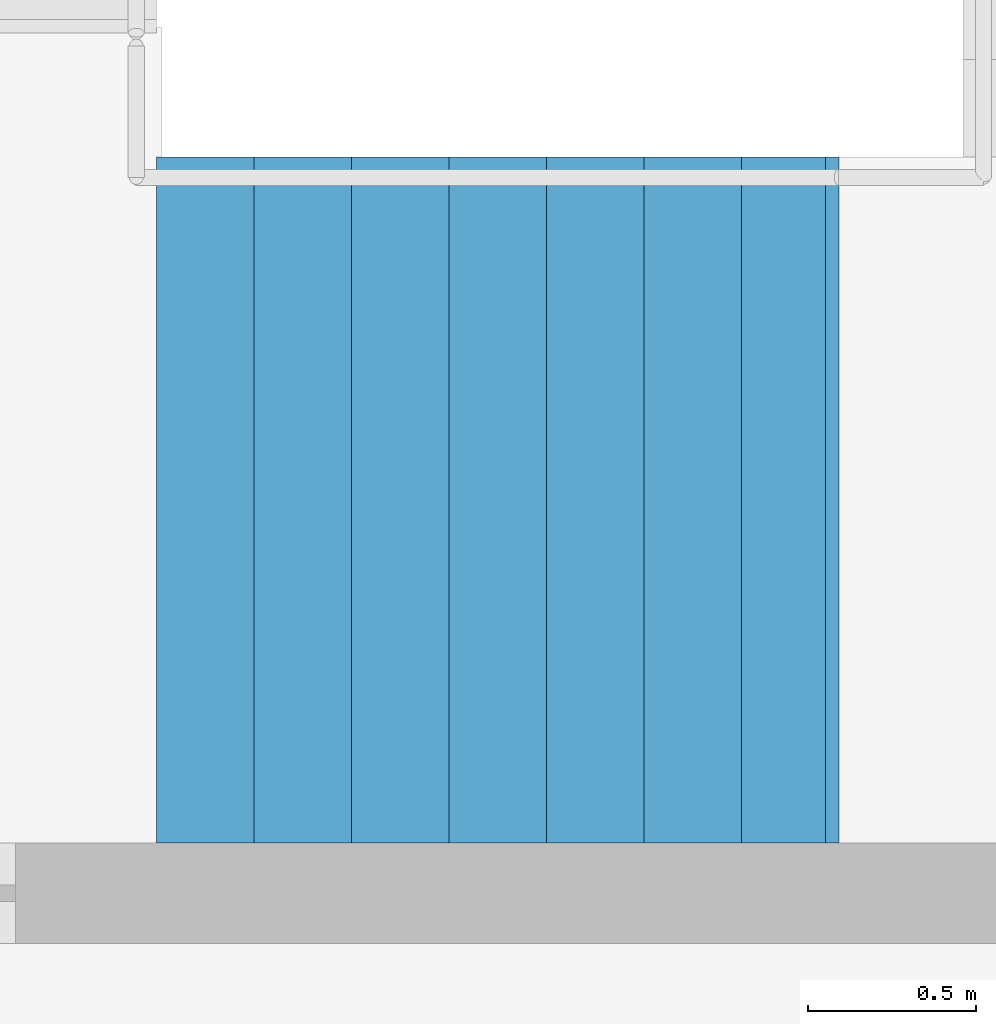
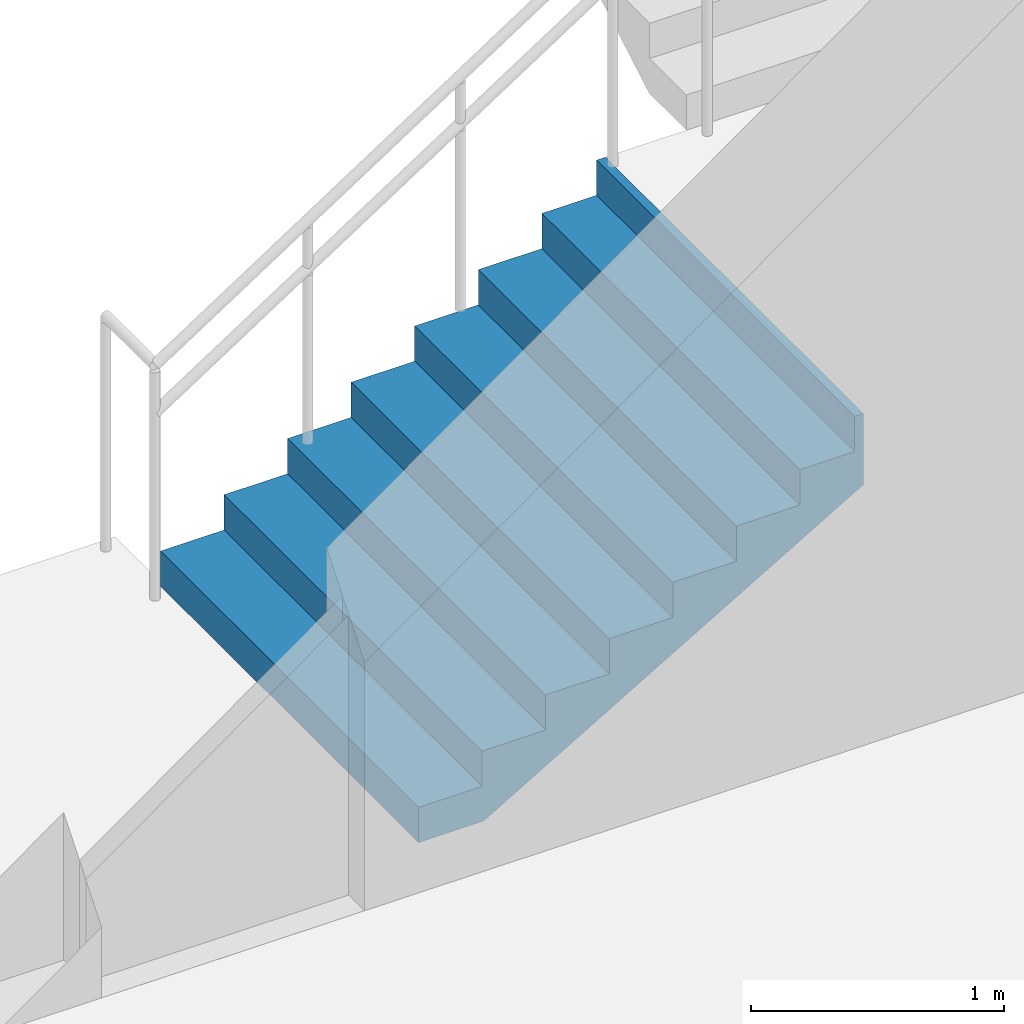
# One storey, part 59 of 74: 1 stair flight, 1 element without a shape of its own.
"""IFC4 building model written with IfcOpenShell, lengths in metres."""

from ifc_helpers import new_model, si_unit, direction, frame, origin, place, context, subcontext, project, spatial, triangles, material, type_object, element, aggregate, save


model = new_model("IFC4")

# Units and contexts
model_context = context("Model", 3, precision=1e-05, world=origin(), true_north=direction((0.0, 1.0)))
body_context = subcontext(model_context, "Body", "Model", "MODEL_VIEW")
ifc_project = project(units=[si_unit("LENGTHUNIT", "METRE"), si_unit("AREAUNIT", "SQUARE_METRE"), si_unit("VOLUMEUNIT", "CUBIC_METRE"), si_unit("PLANEANGLEUNIT", "RADIAN"), si_unit("MASSUNIT", "GRAM", prefix="KILO")], contexts=[model_context])

# Site, building, storey
site_placement = place(None, origin())
site = spatial("IfcSite", under=ifc_project, at=site_placement, CompositionType="ELEMENT")
building_placement = place(site_placement, origin())
building = spatial("IfcBuilding", under=site, at=building_placement, Name="Sillaruma Civic Art Gallery", CompositionType="ELEMENT")
storey_placement = place(building_placement, frame((0.0, 0.0, 5.43994140625)))
storey = spatial("IfcBuildingStorey", under=building, at=storey_placement, Name="L01", CompositionType="ELEMENT", Elevation=5.43994140625)

# Stair, stair flight
ifc_material = material(Name="Concrete H35 (35 MPa)", Category="concrete")
stair_type = type_object("IfcStairType", Name="STR-4F-32", PredefinedType="USERDEFINED", material=ifc_material)
stair_placement = place(storey_placement, origin())
stair = element("IfcStair", 1, at=stair_placement, inside=storey, type_object=stair_type, Name="Protected Exit Stair ST-01 (West Wing) (L01)", ObjectType="THREE_RETURN_STAIR", PredefinedType="USERDEFINED")
stair_flight_type = type_object("IfcStairFlightType", Name="SFL-STR-8", PredefinedType="STRAIGHT", material=ifc_material)
stair_flight_placement = place(storey_placement, frame((27.60009765625, 101.719970703125, 0.0), z_axis=(0.0, 0.0, 1.0), x_axis=(1.0, 0.0, 0.0)))
stair_flight = element("IfcStairFlight", 2, at=stair_flight_placement, type_object=stair_flight_type, Name="ST-01 flight 1", NumberOfRisers=8, NumberOfTreads=7, PredefinedType="STRAIGHT", RiserHeight=0.17, TreadLength=0.29, context=body_context, shape_type="Tessellation", body=[
    triangles([(0.0, -1.02001953125, 0.0), (0.29, -1.02001953125, 0.0), (0.296443, -1.02001953125, 0.0), (0.58, -1.02001953125, 0.166223), (0.87, -1.02001953125, 0.336223), (1.16, -1.02001953125, 0.506223), (1.45, -1.02001953125, 0.676223), (1.74, -1.02001953125, 0.846223), (1.990029, -1.02001953125, 0.992792), (2.030029, -1.02001953125, 1.01624), (2.030029, -1.02001953125, 1.36), (1.990029, -1.02001953125, 1.36), (1.990029, -1.02001953125, 1.19), (1.74, -1.02001953125, 1.19), (1.74, -1.02001953125, 1.02), (1.45, -1.02001953125, 1.02), (1.45, -1.02001953125, 0.85), (1.16, -1.02001953125, 0.85), (1.16, -1.02001953125, 0.68), (0.87, -1.02001953125, 0.68), (0.87, -1.02001953125, 0.51), (0.58, -1.02001953125, 0.51), (0.58, -1.02001953125, 0.34), (0.296443, -1.02001953125, 0.34), (0.29, -1.02001953125, 0.34), (0.29, -1.02001953125, 0.17), (0.0, -1.02001953125, 0.17), (0.0, -0.05, 0.0), (0.29, -0.05, 0.0), (0.296443, -0.05, 0.0), (0.58, -0.05, 0.166223), (0.87, -0.05, 0.336223), (1.16, -0.05, 0.506223), (1.45, -0.05, 0.676223), (1.74, -0.05, 0.846223), (1.990029, -0.05, 0.992792), (2.030029, -0.05, 1.01624), (2.030029, -0.05, 1.36), (1.990029, -0.05, 1.36), (1.990029, -0.05, 1.19), (1.74, -0.05, 1.19), (1.74, -0.05, 1.02), (1.45, -0.05, 1.02), (1.45, -0.05, 0.85), (1.16, -0.05, 0.85), (1.16, -0.05, 0.68), (0.87, -0.05, 0.68), (0.87, -0.05, 0.51), (0.58, -0.05, 0.51), (0.58, -0.05, 0.34), (0.296443, -0.05, 0.34), (0.29, -0.05, 0.34), (0.29, -0.05, 0.17), (0.0, -0.05, 0.17), (0.0, -0.0375, 0.0), (0.29, -0.0375, 0.0), (0.296443, -0.0375, 0.0), (0.58, -0.0375, 0.166223), (0.87, -0.0375, 0.336223), (1.16, -0.0375, 0.506223), (1.45, -0.0375, 0.676223), (1.74, -0.0375, 0.846223), (1.990029, -0.0375, 0.992792), (2.030029, -0.0375, 1.01624), (2.030029, -0.0375, 1.36), (1.990029, -0.0375, 1.36), (1.990029, -0.0375, 1.19), (1.74, -0.0375, 1.19), (1.74, -0.0375, 1.02), (1.45, -0.0375, 1.02), (1.45, -0.0375, 0.85), (1.16, -0.0375, 0.85), (1.16, -0.0375, 0.68), (0.87, -0.0375, 0.68), (0.87, -0.0375, 0.51), (0.58, -0.0375, 0.51), (0.58, -0.0375, 0.34), (0.296443, -0.0375, 0.34), (0.29, -0.0375, 0.34), (0.29, -0.0375, 0.17), (0.0, -0.0375, 0.17), (0.0, -0.025, 0.0), (0.29, -0.025, 0.0), (0.296443, -0.025, 0.0), (0.58, -0.025, 0.166223), (0.87, -0.025, 0.336223), (1.16, -0.025, 0.506223), (1.45, -0.025, 0.676223), (1.74, -0.025, 0.846223), (1.990029, -0.025, 0.992792), (2.030029, -0.025, 1.01624), (2.030029, -0.025, 1.36), (1.990029, -0.025, 1.36), (1.990029, -0.025, 1.19), (1.74, -0.025, 1.19), (1.74, -0.025, 1.02), (1.45, -0.025, 1.02), (1.45, -0.025, 0.85), (1.16, -0.025, 0.85), (1.16, -0.025, 0.68), (0.87, -0.025, 0.68), (0.87, -0.025, 0.51), (0.58, -0.025, 0.51), (0.58, -0.025, 0.34), (0.296443, -0.025, 0.34), (0.29, -0.025, 0.34), (0.29, -0.025, 0.17), (0.0, -0.025, 0.17), (0.0, -0.0125, 0.0), (0.29, -0.0125, 0.0), (0.296443, -0.0125, 0.0), (0.58, -0.0125, 0.166223), (0.87, -0.0125, 0.336223), (1.16, -0.0125, 0.506223), (1.45, -0.0125, 0.676223), (1.74, -0.0125, 0.846223), (1.990029, -0.0125, 0.992792), (2.030029, -0.0125, 1.01624), (2.030029, -0.0125, 1.36), (1.990029, -0.0125, 1.36), (1.990029, -0.0125, 1.19), (1.74, -0.0125, 1.19), (1.74, -0.0125, 1.02), (1.45, -0.0125, 1.02), (1.45, -0.0125, 0.85), (1.16, -0.0125, 0.85), (1.16, -0.0125, 0.68), (0.87, -0.0125, 0.68), (0.87, -0.0125, 0.51), (0.58, -0.0125, 0.51), (0.58, -0.0125, 0.34), (0.296443, -0.0125, 0.34), (0.29, -0.0125, 0.34), (0.29, -0.0125, 0.17), (0.0, -0.0125, 0.17), (0.0, 0.0, 0.0), (0.29, 0.0, 0.0), (0.296443, 0.0, 0.0), (0.58, 0.0, 0.166223), (0.87, 0.0, 0.336223), (1.16, 0.0, 0.506223), (1.45, 0.0, 0.676223), (1.74, 0.0, 0.846223), (1.990029, 0.0, 0.992792), (2.030029, 0.0, 1.01624), (2.030029, 0.0, 1.36), (1.990029, 0.0, 1.36), (1.990029, 0.0, 1.19), (1.74, 0.0, 1.19), (1.74, 0.0, 1.02), (1.45, 0.0, 1.02), (1.45, 0.0, 0.85), (1.16, 0.0, 0.85), (1.16, 0.0, 0.68), (0.87, 0.0, 0.68), (0.87, 0.0, 0.51), (0.58, 0.0, 0.51), (0.58, 0.0, 0.34), (0.296443, 0.0, 0.34), (0.29, 0.0, 0.34), (0.29, 0.0, 0.17), (0.0, 0.0, 0.17), (0.0, 0.0125, 0.0), (0.29, 0.0125, 0.0), (0.296443, 0.0125, 0.0), (0.58, 0.0125, 0.166223), (0.87, 0.0125, 0.336223), (1.16, 0.0125, 0.506223), (1.45, 0.0125, 0.676223), (1.74, 0.0125, 0.846223), (1.990029, 0.0125, 0.992792), (2.030029, 0.0125, 1.01624), (2.030029, 0.0125, 1.36), (1.990029, 0.0125, 1.36), (1.990029, 0.0125, 1.19), (1.74, 0.0125, 1.19), (1.74, 0.0125, 1.02), (1.45, 0.0125, 1.02), (1.45, 0.0125, 0.85), (1.16, 0.0125, 0.85), (1.16, 0.0125, 0.68), (0.87, 0.0125, 0.68), (0.87, 0.0125, 0.51), (0.58, 0.0125, 0.51), (0.58, 0.0125, 0.34), (0.296443, 0.0125, 0.34), (0.29, 0.0125, 0.34), (0.29, 0.0125, 0.17), (0.0, 0.0125, 0.17), (0.0, 0.025, 0.0), (0.29, 0.025, 0.0), (0.296443, 0.025, 0.0), (0.58, 0.025, 0.166223), (0.87, 0.025, 0.336223), (1.16, 0.025, 0.506223), (1.45, 0.025, 0.676223), (1.74, 0.025, 0.846223), (1.990029, 0.025, 0.992792), (2.030029, 0.025, 1.01624), (2.030029, 0.025, 1.36), (1.990029, 0.025, 1.36), (1.990029, 0.025, 1.19), (1.74, 0.025, 1.19), (1.74, 0.025, 1.02), (1.45, 0.025, 1.02), (1.45, 0.025, 0.85), (1.16, 0.025, 0.85), (1.16, 0.025, 0.68), (0.87, 0.025, 0.68), (0.87, 0.025, 0.51), (0.58, 0.025, 0.51), (0.58, 0.025, 0.34), (0.296443, 0.025, 0.34), (0.29, 0.025, 0.34), (0.29, 0.025, 0.17), (0.0, 0.025, 0.17), (0.0, 0.0375, 0.0), (0.29, 0.0375, 0.0), (0.296443, 0.0375, 0.0), (0.58, 0.0375, 0.166223), (0.87, 0.0375, 0.336223), (1.16, 0.0375, 0.506223), (1.45, 0.0375, 0.676223), (1.74, 0.0375, 0.846223), (1.990029, 0.0375, 0.992792), (2.030029, 0.0375, 1.01624), (2.030029, 0.0375, 1.36), (1.990029, 0.0375, 1.36), (1.990029, 0.0375, 1.19), (1.74, 0.0375, 1.19), (1.74, 0.0375, 1.02), (1.45, 0.0375, 1.02), (1.45, 0.0375, 0.85), (1.16, 0.0375, 0.85), (1.16, 0.0375, 0.68), (0.87, 0.0375, 0.68), (0.87, 0.0375, 0.51), (0.58, 0.0375, 0.51), (0.58, 0.0375, 0.34), (0.296443, 0.0375, 0.34), (0.29, 0.0375, 0.34), (0.29, 0.0375, 0.17), (0.0, 0.0375, 0.17), (0.0, 0.05, 0.0), (0.29, 0.05, 0.0), (0.296443, 0.05, 0.0), (0.58, 0.05, 0.166223), (0.87, 0.05, 0.336223), (1.16, 0.05, 0.506223), (1.45, 0.05, 0.676223), (1.74, 0.05, 0.846223), (1.990029, 0.05, 0.992792), (2.030029, 0.05, 1.01624), (2.030029, 0.05, 1.36), (1.990029, 0.05, 1.36), (1.990029, 0.05, 1.19), (1.74, 0.05, 1.19), (1.74, 0.05, 1.02), (1.45, 0.05, 1.02), (1.45, 0.05, 0.85), (1.16, 0.05, 0.85), (1.16, 0.05, 0.68), (0.87, 0.05, 0.68), (0.87, 0.05, 0.51), (0.58, 0.05, 0.51), (0.58, 0.05, 0.34), (0.296443, 0.05, 0.34), (0.29, 0.05, 0.34), (0.29, 0.05, 0.17), (0.0, 0.05, 0.17), (0.0, 1.02001953125, 0.0), (0.29, 1.02001953125, 0.0), (0.296443, 1.02001953125, 0.0), (0.58, 1.02001953125, 0.166223), (0.87, 1.02001953125, 0.336223), (1.16, 1.02001953125, 0.506223), (1.45, 1.02001953125, 0.676223), (1.74, 1.02001953125, 0.846223), (1.990029, 1.02001953125, 0.992792), (2.030029, 1.02001953125, 1.01624), (2.030029, 1.02001953125, 1.36), (1.990029, 1.02001953125, 1.36), (1.990029, 1.02001953125, 1.19), (1.74, 1.02001953125, 1.19), (1.74, 1.02001953125, 1.02), (1.45, 1.02001953125, 1.02), (1.45, 1.02001953125, 0.85), (1.16, 1.02001953125, 0.85), (1.16, 1.02001953125, 0.68), (0.87, 1.02001953125, 0.68), (0.87, 1.02001953125, 0.51), (0.58, 1.02001953125, 0.51), (0.58, 1.02001953125, 0.34), (0.296443, 1.02001953125, 0.34), (0.29, 1.02001953125, 0.34), (0.29, 1.02001953125, 0.17), (0.0, 1.02001953125, 0.17)], [[1, 2, 26], [1, 26, 27], [2, 3, 24], [2, 24, 26], [26, 24, 25], [3, 4, 23], [3, 23, 24], [4, 5, 21], [4, 21, 23], [23, 21, 22], [5, 6, 19], [5, 19, 21], [21, 19, 20], [6, 7, 17], [6, 17, 19], [19, 17, 18], [7, 8, 15], [7, 15, 17], [17, 15, 16], [8, 9, 13], [8, 13, 15], [15, 13, 14], [9, 10, 11], [9, 11, 13], [13, 11, 12], [296, 272, 271], [297, 296, 271], [294, 273, 272], [296, 294, 272], [295, 294, 296], [293, 274, 273], [294, 293, 273], [291, 275, 274], [293, 291, 274], [292, 291, 293], [289, 276, 275], [291, 289, 275], [290, 289, 291], [287, 277, 276], [289, 287, 276], [288, 287, 289], [285, 278, 277], [287, 285, 277], [286, 285, 287], [283, 279, 278], [285, 283, 278], [284, 283, 285], [281, 280, 279], [283, 281, 279], [282, 281, 283], [2, 1, 28], [2, 28, 29], [3, 2, 29], [3, 29, 30], [4, 3, 30], [4, 30, 31], [5, 4, 31], [5, 31, 32], [6, 5, 32], [6, 32, 33], [7, 6, 33], [7, 33, 34], [8, 7, 34], [8, 34, 35], [9, 8, 35], [9, 35, 36], [10, 9, 36], [10, 36, 37], [11, 10, 37], [11, 37, 38], [12, 11, 38], [12, 38, 39], [13, 12, 39], [13, 39, 40], [14, 13, 40], [14, 40, 41], [15, 14, 41], [15, 41, 42], [16, 15, 42], [16, 42, 43], [17, 16, 43], [17, 43, 44], [18, 17, 44], [18, 44, 45], [19, 18, 45], [19, 45, 46], [20, 19, 46], [20, 46, 47], [21, 20, 47], [21, 47, 48], [22, 21, 48], [22, 48, 49], [23, 22, 49], [23, 49, 50], [24, 23, 50], [24, 50, 51], [25, 24, 51], [25, 51, 52], [26, 25, 52], [26, 52, 53], [27, 26, 53], [27, 53, 54], [1, 27, 54], [1, 54, 28], [29, 28, 55], [29, 55, 56], [30, 29, 56], [30, 56, 57], [31, 30, 57], [31, 57, 58], [32, 31, 58], [32, 58, 59], [33, 32, 59], [33, 59, 60], [34, 33, 60], [34, 60, 61], [35, 34, 61], [35, 61, 62], [36, 35, 62], [36, 62, 63], [37, 36, 63], [37, 63, 64], [38, 37, 64], [38, 64, 65], [39, 38, 65], [39, 65, 66], [40, 39, 66], [40, 66, 67], [41, 40, 67], [41, 67, 68], [42, 41, 68], [42, 68, 69], [43, 42, 69], [43, 69, 70], [44, 43, 70], [44, 70, 71], [45, 44, 71], [45, 71, 72], [46, 45, 72], [46, 72, 73], [47, 46, 73], [47, 73, 74], [48, 47, 74], [48, 74, 75], [49, 48, 75], [49, 75, 76], [50, 49, 76], [50, 76, 77], [51, 50, 77], [51, 77, 78], [52, 51, 78], [52, 78, 79], [53, 52, 79], [53, 79, 80], [54, 53, 80], [54, 80, 81], [28, 54, 81], [28, 81, 55], [56, 55, 82], [56, 82, 83], [57, 56, 83], [57, 83, 84], [58, 57, 84], [58, 84, 85], [59, 58, 85], [59, 85, 86], [60, 59, 86], [60, 86, 87], [61, 60, 87], [61, 87, 88], [62, 61, 88], [62, 88, 89], [63, 62, 89], [63, 89, 90], [64, 63, 90], [64, 90, 91], [65, 64, 91], [65, 91, 92], [66, 65, 92], [66, 92, 93], [67, 66, 93], [67, 93, 94], [68, 67, 94], [68, 94, 95], [69, 68, 95], [69, 95, 96], [70, 69, 96], [70, 96, 97], [71, 70, 97], [71, 97, 98], [72, 71, 98], [72, 98, 99], [73, 72, 99], [73, 99, 100], [74, 73, 100], [74, 100, 101], [75, 74, 101], [75, 101, 102], [76, 75, 102], [76, 102, 103], [77, 76, 103], [77, 103, 104], [78, 77, 104], [78, 104, 105], [79, 78, 105], [79, 105, 106], [80, 79, 106], [80, 106, 107], [81, 80, 107], [81, 107, 108], [55, 81, 108], [55, 108, 82], [83, 82, 109], [83, 109, 110], [84, 83, 110], [84, 110, 111], [85, 84, 111], [85, 111, 112], [86, 85, 112], [86, 112, 113], [87, 86, 113], [87, 113, 114], [88, 87, 114], [88, 114, 115], [89, 88, 115], [89, 115, 116], [90, 89, 116], [90, 116, 117], [91, 90, 117], [91, 117, 118], [92, 91, 118], [92, 118, 119], [93, 92, 119], [93, 119, 120], [94, 93, 120], [94, 120, 121], [95, 94, 121], [95, 121, 122], [96, 95, 122], [96, 122, 123], [97, 96, 123], [97, 123, 124], [98, 97, 124], [98, 124, 125], [99, 98, 125], [99, 125, 126], [100, 99, 126], [100, 126, 127], [101, 100, 127], [101, 127, 128], [102, 101, 128], [102, 128, 129], [103, 102, 129], [103, 129, 130], [104, 103, 130], [104, 130, 131], [105, 104, 131], [105, 131, 132], [106, 105, 132], [106, 132, 133], [107, 106, 133], [107, 133, 134], [108, 107, 134], [108, 134, 135], [82, 108, 135], [82, 135, 109], [110, 109, 136], [110, 136, 137], [111, 110, 137], [111, 137, 138], [112, 111, 138], [112, 138, 139], [113, 112, 139], [113, 139, 140], [114, 113, 140], [114, 140, 141], [115, 114, 141], [115, 141, 142], [116, 115, 142], [116, 142, 143], [117, 116, 143], [117, 143, 144], [118, 117, 144], [118, 144, 145], [119, 118, 145], [119, 145, 146], [120, 119, 146], [120, 146, 147], [121, 120, 147], [121, 147, 148], [122, 121, 148], [122, 148, 149], [123, 122, 149], [123, 149, 150], [124, 123, 150], [124, 150, 151], [125, 124, 151], [125, 151, 152], [126, 125, 152], [126, 152, 153], [127, 126, 153], [127, 153, 154], [128, 127, 154], [128, 154, 155], [129, 128, 155], [129, 155, 156], [130, 129, 156], [130, 156, 157], [131, 130, 157], [131, 157, 158], [132, 131, 158], [132, 158, 159], [133, 132, 159], [133, 159, 160], [134, 133, 160], [134, 160, 161], [135, 134, 161], [135, 161, 162], [109, 135, 162], [109, 162, 136], [137, 136, 163], [137, 163, 164], [138, 137, 164], [138, 164, 165], [139, 138, 165], [139, 165, 166], [140, 139, 166], [140, 166, 167], [141, 140, 167], [141, 167, 168], [142, 141, 168], [142, 168, 169], [143, 142, 169], [143, 169, 170], [144, 143, 170], [144, 170, 171], [145, 144, 171], [145, 171, 172], [146, 145, 172], [146, 172, 173], [147, 146, 173], [147, 173, 174], [148, 147, 174], [148, 174, 175], [149, 148, 175], [149, 175, 176], [150, 149, 176], [150, 176, 177], [151, 150, 177], [151, 177, 178], [152, 151, 178], [152, 178, 179], [153, 152, 179], [153, 179, 180], [154, 153, 180], [154, 180, 181], [155, 154, 181], [155, 181, 182], [156, 155, 182], [156, 182, 183], [157, 156, 183], [157, 183, 184], [158, 157, 184], [158, 184, 185], [159, 158, 185], [159, 185, 186], [160, 159, 186], [160, 186, 187], [161, 160, 187], [161, 187, 188], [162, 161, 188], [162, 188, 189], [136, 162, 189], [136, 189, 163], [164, 163, 190], [164, 190, 191], [165, 164, 191], [165, 191, 192], [166, 165, 192], [166, 192, 193], [167, 166, 193], [167, 193, 194], [168, 167, 194], [168, 194, 195], [169, 168, 195], [169, 195, 196], [170, 169, 196], [170, 196, 197], [171, 170, 197], [171, 197, 198], [172, 171, 198], [172, 198, 199], [173, 172, 199], [173, 199, 200], [174, 173, 200], [174, 200, 201], [175, 174, 201], [175, 201, 202], [176, 175, 202], [176, 202, 203], [177, 176, 203], [177, 203, 204], [178, 177, 204], [178, 204, 205], [179, 178, 205], [179, 205, 206], [180, 179, 206], [180, 206, 207], [181, 180, 207], [181, 207, 208], [182, 181, 208], [182, 208, 209], [183, 182, 209], [183, 209, 210], [184, 183, 210], [184, 210, 211], [185, 184, 211], [185, 211, 212], [186, 185, 212], [186, 212, 213], [187, 186, 213], [187, 213, 214], [188, 187, 214], [188, 214, 215], [189, 188, 215], [189, 215, 216], [163, 189, 216], [163, 216, 190], [191, 190, 217], [191, 217, 218], [192, 191, 218], [192, 218, 219], [193, 192, 219], [193, 219, 220], [194, 193, 220], [194, 220, 221], [195, 194, 221], [195, 221, 222], [196, 195, 222], [196, 222, 223], [197, 196, 223], [197, 223, 224], [198, 197, 224], [198, 224, 225], [199, 198, 225], [199, 225, 226], [200, 199, 226], [200, 226, 227], [201, 200, 227], [201, 227, 228], [202, 201, 228], [202, 228, 229], [203, 202, 229], [203, 229, 230], [204, 203, 230], [204, 230, 231], [205, 204, 231], [205, 231, 232], [206, 205, 232], [206, 232, 233], [207, 206, 233], [207, 233, 234], [208, 207, 234], [208, 234, 235], [209, 208, 235], [209, 235, 236], [210, 209, 236], [210, 236, 237], [211, 210, 237], [211, 237, 238], [212, 211, 238], [212, 238, 239], [213, 212, 239], [213, 239, 240], [214, 213, 240], [214, 240, 241], [215, 214, 241], [215, 241, 242], [216, 215, 242], [216, 242, 243], [190, 216, 243], [190, 243, 217], [218, 217, 244], [218, 244, 245], [219, 218, 245], [219, 245, 246], [220, 219, 246], [220, 246, 247], [221, 220, 247], [221, 247, 248], [222, 221, 248], [222, 248, 249], [223, 222, 249], [223, 249, 250], [224, 223, 250], [224, 250, 251], [225, 224, 251], [225, 251, 252], [226, 225, 252], [226, 252, 253], [227, 226, 253], [227, 253, 254], [228, 227, 254], [228, 254, 255], [229, 228, 255], [229, 255, 256], [230, 229, 256], [230, 256, 257], [231, 230, 257], [231, 257, 258], [232, 231, 258], [232, 258, 259], [233, 232, 259], [233, 259, 260], [234, 233, 260], [234, 260, 261], [235, 234, 261], [235, 261, 262], [236, 235, 262], [236, 262, 263], [237, 236, 263], [237, 263, 264], [238, 237, 264], [238, 264, 265], [239, 238, 265], [239, 265, 266], [240, 239, 266], [240, 266, 267], [241, 240, 267], [241, 267, 268], [242, 241, 268], [242, 268, 269], [243, 242, 269], [243, 269, 270], [217, 243, 270], [217, 270, 244], [245, 244, 271], [245, 271, 272], [246, 245, 272], [246, 272, 273], [247, 246, 273], [247, 273, 274], [248, 247, 274], [248, 274, 275], [249, 248, 275], [249, 275, 276], [250, 249, 276], [250, 276, 277], [251, 250, 277], [251, 277, 278], [252, 251, 278], [252, 278, 279], [253, 252, 279], [253, 279, 280], [254, 253, 280], [254, 280, 281], [255, 254, 281], [255, 281, 282], [256, 255, 282], [256, 282, 283], [257, 256, 283], [257, 283, 284], [258, 257, 284], [258, 284, 285], [259, 258, 285], [259, 285, 286], [260, 259, 286], [260, 286, 287], [261, 260, 287], [261, 287, 288], [262, 261, 288], [262, 288, 289], [263, 262, 289], [263, 289, 290], [264, 263, 290], [264, 290, 291], [265, 264, 291], [265, 291, 292], [266, 265, 292], [266, 292, 293], [267, 266, 293], [267, 293, 294], [268, 267, 294], [268, 294, 295], [269, 268, 295], [269, 295, 296], [270, 269, 296], [270, 296, 297], [244, 270, 297], [244, 297, 271]], closed=True),
])
aggregate(stair, [stair_flight])

save(model, "model.ifc")
